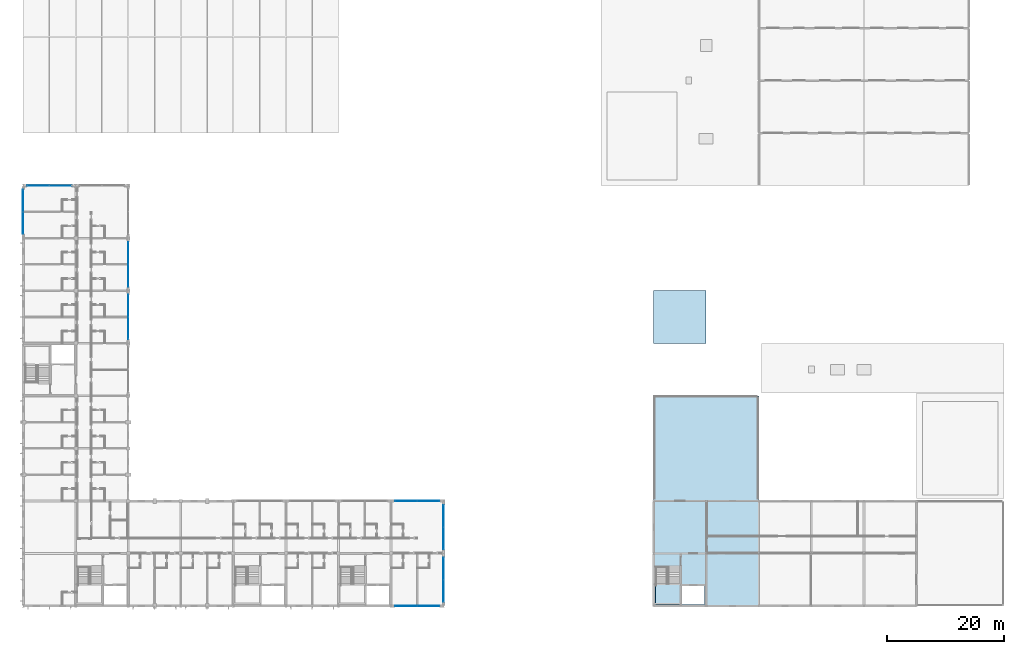
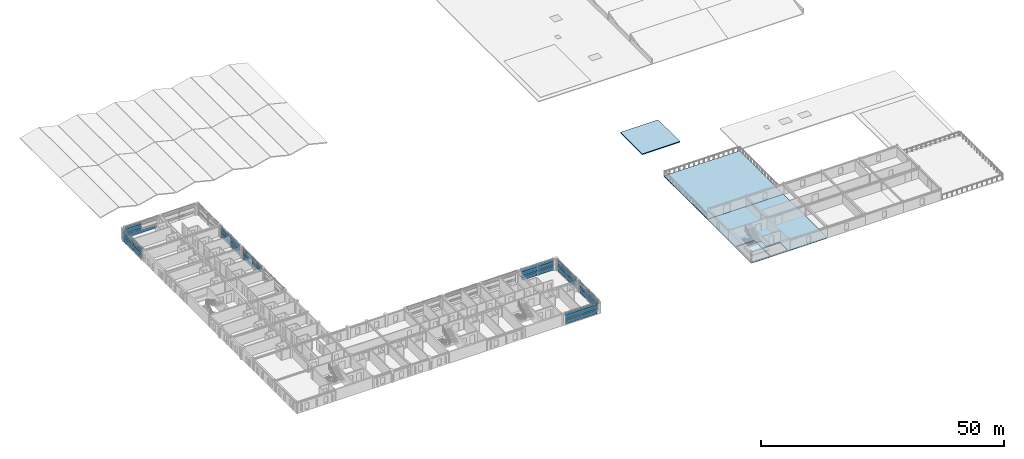
# One storey, part 15 of 37: 59 plates, 4 slabs, 8 elements without a shape of their own.
"""IFC4 building model written with IfcOpenShell, lengths in metres."""

from ifc_helpers import new_model, si_unit, direction, frame, origin, origin_2d, place, context, subcontext, project, spatial, polyline, rectangle, outline, extrude, material, layer, layer_set, type_object, element, aggregate, save


model = new_model("IFC4")

# Units and contexts
model_context = context("Model", 3, precision=1e-05, world=origin(), true_north=direction((0.0, 1.0)))
body_context = subcontext(model_context, "Body", "Model", "MODEL_VIEW")
ifc_project = project(units=[si_unit("LENGTHUNIT", "METRE"), si_unit("AREAUNIT", "SQUARE_METRE"), si_unit("VOLUMEUNIT", "CUBIC_METRE"), si_unit("PLANEANGLEUNIT", "RADIAN"), si_unit("MASSUNIT", "GRAM", prefix="KILO")], contexts=[model_context])

# Site, building, storey
site_placement = place(None, origin())
site = spatial("IfcSite", under=ifc_project, at=site_placement, CompositionType="ELEMENT")
building_placement = place(site_placement, origin())
building = spatial("IfcBuilding", under=site, at=building_placement, Name="Palais des Congres Ocreval", CompositionType="ELEMENT")
storey_placement = place(building_placement, frame((0.0, 0.0, 11.52001953125)))
storey = spatial("IfcBuildingStorey", under=building, at=storey_placement, Name="L03", CompositionType="ELEMENT", Elevation=11.52001953125)

# Curtain wall, plates
ifc_material_1 = material(Name="Anodized bronze aluminium and low-E glass", Category="glass")
curtain_wall_type = type_object("IfcCurtainWallType", Name="Unitised Curtain Wall 7900x2820", PredefinedType="USERDEFINED", material=ifc_material_1)
curtain_wall_1_placement = place(storey_placement, origin())
curtain_wall_1 = element("IfcCurtainWall", 1, at=curtain_wall_1_placement, inside=storey, type_object=curtain_wall_type, Name="Unitised Curtain Wall CW04 L03", ObjectType="UNITISED CURTAIN WALL", PredefinedType="USERDEFINED")
ifc_material_2 = material(Name="Acoustic triple glazing", Category="glass")
ifc_layer_1 = layer(ifc_material_2, 0.0439453125)
ifc_layer_set_1 = layer_set([ifc_layer_1], Name="Acoustic Laminated Glazing Panel 44 (Acoustic triple glazing)")
plate_type_1 = type_object("IfcPlateType", Name="Acoustic Laminated Glazing Panel 44", PredefinedType="CURTAIN_PANEL", material=ifc_layer_set_1)
plate_1_placement = place(storey_placement, frame((72.0, 15.40869140625, 0.06005859375), z_axis=(0.0, 0.0, 1.0), x_axis=(0.0, -1.0, 0.0)))
plate_1 = element("IfcPlate", 2, at=plate_1_placement, type_object=plate_type_1, Name="Vision Glazing Panel VP02", PredefinedType="CURTAIN_PANEL", context=body_context, shape_type="SweptSolid", body=[
    extrude(rectangle(XDim=3.75244140625, YDim=0.0439453125, at=origin_2d()), origin(), (0.0, 0.0, 1.0), 0.68994140625),
])
plate_2_placement = place(storey_placement, frame((72.0, 15.40869140625, 0.81005859375), z_axis=(0.0, 0.0, 1.0), x_axis=(0.0, -1.0, 0.0)))
plate_2 = element("IfcPlate", 3, at=plate_2_placement, type_object=plate_type_1, Name="Vision Glazing Panel VP02", PredefinedType="CURTAIN_PANEL", context=body_context, shape_type="SweptSolid", body=[
    extrude(rectangle(XDim=3.75244140625, YDim=0.0439453125, at=origin_2d()), origin(), (0.0, 0.0, 1.0), 0.353515625),
])
plate_3_placement = place(storey_placement, frame((72.0, 15.40869140625, 1.2236328125), z_axis=(0.0, 0.0, 1.0), x_axis=(0.0, -1.0, 0.0)))
plate_3 = element("IfcPlate", 4, at=plate_3_placement, type_object=plate_type_1, Name="Vision Glazing Panel VP02", PredefinedType="CURTAIN_PANEL", context=body_context, shape_type="SweptSolid", body=[
    extrude(rectangle(XDim=3.75244140625, YDim=0.0439453125, at=origin_2d()), origin(), (0.0, 0.0, 1.0), 0.91650390625),
])
plate_4_placement = place(storey_placement, frame((72.0, 11.59130859375, 0.06005859375), z_axis=(0.0, 0.0, 1.0), x_axis=(0.0, -1.0, 0.0)))
plate_4 = element("IfcPlate", 5, at=plate_4_placement, type_object=plate_type_1, Name="Vision Glazing Panel VP02", PredefinedType="CURTAIN_PANEL", context=body_context, shape_type="SweptSolid", body=[
    extrude(rectangle(XDim=3.75244140625, YDim=0.0439453125, at=origin_2d()), origin(), (0.0, 0.0, 1.0), 0.68994140625),
])
plate_5_placement = place(storey_placement, frame((72.0, 11.59130859375, 0.81005859375), z_axis=(0.0, 0.0, 1.0), x_axis=(0.0, -1.0, 0.0)))
plate_5 = element("IfcPlate", 6, at=plate_5_placement, type_object=plate_type_1, Name="Vision Glazing Panel VP02", PredefinedType="CURTAIN_PANEL", context=body_context, shape_type="SweptSolid", body=[
    extrude(rectangle(XDim=3.75244140625, YDim=0.0439453125, at=origin_2d()), origin(), (0.0, 0.0, 1.0), 0.353515625),
])
plate_6_placement = place(storey_placement, frame((72.0, 11.59130859375, 1.2236328125), z_axis=(0.0, 0.0, 1.0), x_axis=(0.0, -1.0, 0.0)))
plate_6 = element("IfcPlate", 7, at=plate_6_placement, type_object=plate_type_1, Name="Vision Glazing Panel VP02", PredefinedType="CURTAIN_PANEL", context=body_context, shape_type="SweptSolid", body=[
    extrude(rectangle(XDim=3.75244140625, YDim=0.0439453125, at=origin_2d()), origin(), (0.0, 0.0, 1.0), 0.91650390625),
])

curtain_wall_2_placement = place(storey_placement, origin())
curtain_wall_2 = element("IfcCurtainWall", 8, at=curtain_wall_2_placement, inside=storey, type_object=curtain_wall_type, Name="Unitised Curtain Wall CW04 L03", ObjectType="UNITISED CURTAIN WALL", PredefinedType="USERDEFINED")
plate_7_placement = place(storey_placement, frame((0.0, 65.592529296875, 0.06005859375), z_axis=(0.0, 0.0, 1.0), x_axis=(0.0, 1.0, 0.0)))
plate_7 = element("IfcPlate", 9, at=plate_7_placement, type_object=plate_type_1, Name="Vision Glazing Panel VP02", PredefinedType="CURTAIN_PANEL", context=body_context, shape_type="SweptSolid", body=[
    extrude(rectangle(XDim=3.7451171875, YDim=0.0439453125, at=origin_2d()), origin(), (0.0, 0.0, 1.0), 0.68994140625),
])
plate_8_placement = place(storey_placement, frame((0.0, 65.592529296875, 0.81005859375), z_axis=(0.0, 0.0, 1.0), x_axis=(0.0, 1.0, 0.0)))
plate_8 = element("IfcPlate", 10, at=plate_8_placement, type_object=plate_type_1, Name="Vision Glazing Panel VP02", PredefinedType="CURTAIN_PANEL", context=body_context, shape_type="SweptSolid", body=[
    extrude(rectangle(XDim=3.7451171875, YDim=0.0439453125, at=origin_2d()), origin(), (0.0, 0.0, 1.0), 0.353515625),
])
plate_9_placement = place(storey_placement, frame((0.0, 65.592529296875, 1.2236328125), z_axis=(0.0, 0.0, 1.0), x_axis=(0.0, 1.0, 0.0)))
plate_9 = element("IfcPlate", 11, at=plate_9_placement, type_object=plate_type_1, Name="Vision Glazing Panel VP02", PredefinedType="CURTAIN_PANEL", context=body_context, shape_type="SweptSolid", body=[
    extrude(rectangle(XDim=3.7451171875, YDim=0.0439453125, at=origin_2d()), origin(), (0.0, 0.0, 1.0), 0.91650390625),
])
plate_10_placement = place(storey_placement, frame((0.0, 69.407470703125, 0.06005859375), z_axis=(0.0, 0.0, 1.0), x_axis=(0.0, 1.0, 0.0)))
plate_10 = element("IfcPlate", 12, at=plate_10_placement, type_object=plate_type_1, Name="Vision Glazing Panel VP02", PredefinedType="CURTAIN_PANEL", context=body_context, shape_type="SweptSolid", body=[
    extrude(rectangle(XDim=3.7451171875, YDim=0.0439453125, at=origin_2d()), origin(), (0.0, 0.0, 1.0), 0.68994140625),
])
plate_11_placement = place(storey_placement, frame((0.0, 69.407470703125, 0.81005859375), z_axis=(0.0, 0.0, 1.0), x_axis=(0.0, 1.0, 0.0)))
plate_11 = element("IfcPlate", 13, at=plate_11_placement, type_object=plate_type_1, Name="Vision Glazing Panel VP02", PredefinedType="CURTAIN_PANEL", context=body_context, shape_type="SweptSolid", body=[
    extrude(rectangle(XDim=3.7451171875, YDim=0.0439453125, at=origin_2d()), origin(), (0.0, 0.0, 1.0), 0.353515625),
])
plate_12_placement = place(storey_placement, frame((0.0, 69.407470703125, 1.2236328125), z_axis=(0.0, 0.0, 1.0), x_axis=(0.0, 1.0, 0.0)))
plate_12 = element("IfcPlate", 14, at=plate_12_placement, type_object=plate_type_1, Name="Vision Glazing Panel VP02", PredefinedType="CURTAIN_PANEL", context=body_context, shape_type="SweptSolid", body=[
    extrude(rectangle(XDim=3.7451171875, YDim=0.0439453125, at=origin_2d()), origin(), (0.0, 0.0, 1.0), 0.91650390625),
])

curtain_wall_3_placement = place(storey_placement, origin())
curtain_wall_3 = element("IfcCurtainWall", 15, at=curtain_wall_3_placement, inside=storey, type_object=curtain_wall_type, Name="Unitised Curtain Wall CW04 L03", ObjectType="UNITISED CURTAIN WALL", PredefinedType="USERDEFINED")
ifc_material_3 = material(Name="Anodized bronze aluminium", Category="aluminium")
ifc_layer_2 = layer(ifc_material_3, 0.06005859375)
ifc_layer_set_2 = layer_set([ifc_layer_2], Name="Anodized Bronze Spandrel Cassette 60 (Anodized bronze aluminium)")
plate_type_2 = type_object("IfcPlateType", Name="Anodized Bronze Spandrel Cassette 60", PredefinedType="SHEET", material=ifc_layer_set_2)
plate_13_placement = place(storey_placement, frame((72.0, 6.407470703125, 2.199951171875), z_axis=(0.0, 0.0, 1.0), x_axis=(0.0, -1.0, 0.0)))
plate_13 = element("IfcPlate", 16, at=plate_13_placement, type_object=plate_type_2, Name="Spandrel Sheet SPN1", PredefinedType="SHEET", context=body_context, shape_type="SweptSolid", body=[
    extrude(rectangle(XDim=3.7451171875, YDim=0.06005859375, at=origin_2d()), origin(), (0.0, 0.0, 1.0), 0.56005859375),
])
plate_14_placement = place(storey_placement, frame((72.0, 2.592529296875, 2.199951171875), z_axis=(0.0, 0.0, 1.0), x_axis=(0.0, -1.0, 0.0)))
plate_14 = element("IfcPlate", 17, at=plate_14_placement, type_object=plate_type_2, Name="Spandrel Sheet SPN1", PredefinedType="SHEET", context=body_context, shape_type="SweptSolid", body=[
    extrude(rectangle(XDim=3.7451171875, YDim=0.06005859375, at=origin_2d()), origin(), (0.0, 0.0, 1.0), 0.56005859375),
])

# Plate
plate_15_placement = place(storey_placement, frame((0.0, 65.592529296875, 2.199951171875), z_axis=(0.0, 0.0, 1.0), x_axis=(0.0, 1.0, 0.0)))
plate_15 = element("IfcPlate", 18, at=plate_15_placement, type_object=plate_type_2, Name="Spandrel Sheet SPN1", PredefinedType="SHEET", context=body_context, shape_type="SweptSolid", body=[
    extrude(rectangle(XDim=3.7451171875, YDim=0.06005859375, at=origin_2d()), origin(), (0.0, 0.0, 1.0), 0.56005859375),
])

plate_16_placement = place(storey_placement, frame((0.0, 69.407470703125, 2.199951171875), z_axis=(0.0, 0.0, 1.0), x_axis=(0.0, 1.0, 0.0)))
plate_16 = element("IfcPlate", 19, at=plate_16_placement, type_object=plate_type_2, Name="Spandrel Sheet SPN1", PredefinedType="SHEET", context=body_context, shape_type="SweptSolid", body=[
    extrude(rectangle(XDim=3.7451171875, YDim=0.06005859375, at=origin_2d()), origin(), (0.0, 0.0, 1.0), 0.56005859375),
])

aggregate(curtain_wall_2, [plate_7, plate_8, plate_9, plate_15, plate_10, plate_11, plate_12, plate_16])

# Curtain wall, plates
curtain_wall_4_placement = place(storey_placement, origin())
curtain_wall_4 = element("IfcCurtainWall", 20, at=curtain_wall_4_placement, inside=storey, type_object=curtain_wall_type, Name="Unitised Curtain Wall CW04 L03", ObjectType="UNITISED CURTAIN WALL", PredefinedType="USERDEFINED")
plate_17_placement = place(storey_placement, frame((18.0, 60.407470703125, 2.199951171875), z_axis=(0.0, 0.0, 1.0), x_axis=(0.0, -1.0, 0.0)))
plate_17 = element("IfcPlate", 21, at=plate_17_placement, type_object=plate_type_2, Name="Spandrel Sheet SPN1", PredefinedType="SHEET", context=body_context, shape_type="SweptSolid", body=[
    extrude(rectangle(XDim=3.7451171875, YDim=0.06005859375, at=origin_2d()), origin(), (0.0, 0.0, 1.0), 0.56005859375),
])
plate_18_placement = place(storey_placement, frame((18.0, 56.592529296875, 2.199951171875), z_axis=(0.0, 0.0, 1.0), x_axis=(0.0, -1.0, 0.0)))
plate_18 = element("IfcPlate", 22, at=plate_18_placement, type_object=plate_type_2, Name="Spandrel Sheet SPN1", PredefinedType="SHEET", context=body_context, shape_type="SweptSolid", body=[
    extrude(rectangle(XDim=3.7451171875, YDim=0.06005859375, at=origin_2d()), origin(), (0.0, 0.0, 1.0), 0.56005859375),
])

curtain_wall_5_placement = place(storey_placement, origin())
curtain_wall_5 = element("IfcCurtainWall", 23, at=curtain_wall_5_placement, inside=storey, type_object=curtain_wall_type, Name="Unitised Curtain Wall CW04 L03", ObjectType="UNITISED CURTAIN WALL", PredefinedType="USERDEFINED")
plate_19_placement = place(storey_placement, frame((65.592529296875, 18.0, 2.199951171875), z_axis=(0.0, 0.0, 1.0), x_axis=(1.0, 0.0, 0.0)))
plate_19 = element("IfcPlate", 24, at=plate_19_placement, type_object=plate_type_2, Name="Spandrel Sheet SPN1", PredefinedType="SHEET", context=body_context, shape_type="SweptSolid", body=[
    extrude(rectangle(XDim=3.7451171875, YDim=0.06005859375, at=origin_2d()), origin(), (0.0, 0.0, 1.0), 0.56005859375),
])
plate_20_placement = place(storey_placement, frame((69.407470703125, 18.0, 2.199951171875), z_axis=(0.0, 0.0, 1.0), x_axis=(1.0, 0.0, 0.0)))
plate_20 = element("IfcPlate", 25, at=plate_20_placement, type_object=plate_type_2, Name="Spandrel Sheet SPN1", PredefinedType="SHEET", context=body_context, shape_type="SweptSolid", body=[
    extrude(rectangle(XDim=3.7451171875, YDim=0.06005859375, at=origin_2d()), origin(), (0.0, 0.0, 1.0), 0.56005859375),
])

# Slab
ifc_material_4 = material(Name="Concrete C40/50", Category="concrete")
ifc_layer_3 = layer(ifc_material_4, 0.25)
ifc_layer_set_3 = layer_set([ifc_layer_3], Name="Folded and Crown Roof Deck 250 Concrete C40/50")
slab_type_1 = type_object("IfcSlabType", Name="Folded and Crown Roof Deck 250 Concrete C40/50", PredefinedType="ROOF", material=ifc_layer_set_3)
slab_1_placement = place(storey_placement, frame((0.0, 0.0, -0.25)))
element("IfcSlab", 26, at=slab_1_placement, inside=storey, type_object=slab_type_1, Name="Spa Headhouse Roof Deck", PredefinedType="ROOF", context=body_context, shape_type="SweptSolid", body=[
    extrude(outline(polyline([(108.0, 45.0), (108.0, 54.0), (117.0, 54.0), (117.0, 45.0), (108.0, 45.0)])), origin(), (0.0, 0.0, 1.0), 0.25),
])

# Plate
ifc_material_5 = material(Name="Low-E solar-control double glazing", Category="glass")
ifc_layer_4 = layer(ifc_material_5, 0.031982421875)
ifc_layer_set_4 = layer_set([ifc_layer_4], Name="Galleria Clear Vision Panel 32 (Low-E solar-control double glazing)")
plate_type_3 = type_object("IfcPlateType", Name="Galleria Clear Vision Panel 32", PredefinedType="CURTAIN_PANEL", material=ifc_layer_set_4)
plate_21_placement = place(storey_placement, frame((72.0, 6.407470703125, 0.06005859375), z_axis=(0.0, 0.0, 1.0), x_axis=(0.0, -1.0, 0.0)))
plate_21 = element("IfcPlate", 27, at=plate_21_placement, type_object=plate_type_3, Name="Vision Glazing Panel VP03", PredefinedType="CURTAIN_PANEL", context=body_context, shape_type="SweptSolid", body=[
    extrude(rectangle(XDim=3.7451171875, YDim=0.031982421875, at=origin_2d()), origin(), (0.0, 0.0, 1.0), 0.68994140625),
])

plate_22_placement = place(storey_placement, frame((72.0, 6.407470703125, 0.81005859375), z_axis=(0.0, 0.0, 1.0), x_axis=(0.0, -1.0, 0.0)))
plate_22 = element("IfcPlate", 28, at=plate_22_placement, type_object=plate_type_3, Name="Vision Glazing Panel VP03", PredefinedType="CURTAIN_PANEL", context=body_context, shape_type="SweptSolid", body=[
    extrude(rectangle(XDim=3.7451171875, YDim=0.031982421875, at=origin_2d()), origin(), (0.0, 0.0, 1.0), 0.353515625),
])

plate_23_placement = place(storey_placement, frame((72.0, 6.407470703125, 1.2236328125), z_axis=(0.0, 0.0, 1.0), x_axis=(0.0, -1.0, 0.0)))
plate_23 = element("IfcPlate", 29, at=plate_23_placement, type_object=plate_type_3, Name="Vision Glazing Panel VP03", PredefinedType="CURTAIN_PANEL", context=body_context, shape_type="SweptSolid", body=[
    extrude(rectangle(XDim=3.7451171875, YDim=0.031982421875, at=origin_2d()), origin(), (0.0, 0.0, 1.0), 0.91650390625),
])

plate_24_placement = place(storey_placement, frame((72.0, 2.592529296875, 0.06005859375), z_axis=(0.0, 0.0, 1.0), x_axis=(0.0, -1.0, 0.0)))
plate_24 = element("IfcPlate", 30, at=plate_24_placement, type_object=plate_type_3, Name="Vision Glazing Panel VP03", PredefinedType="CURTAIN_PANEL", context=body_context, shape_type="SweptSolid", body=[
    extrude(rectangle(XDim=3.7451171875, YDim=0.031982421875, at=origin_2d()), origin(), (0.0, 0.0, 1.0), 0.68994140625),
])

plate_25_placement = place(storey_placement, frame((72.0, 2.592529296875, 0.81005859375), z_axis=(0.0, 0.0, 1.0), x_axis=(0.0, -1.0, 0.0)))
plate_25 = element("IfcPlate", 31, at=plate_25_placement, type_object=plate_type_3, Name="Vision Glazing Panel VP03", PredefinedType="CURTAIN_PANEL", context=body_context, shape_type="SweptSolid", body=[
    extrude(rectangle(XDim=3.7451171875, YDim=0.031982421875, at=origin_2d()), origin(), (0.0, 0.0, 1.0), 0.353515625),
])

plate_26_placement = place(storey_placement, frame((72.0, 2.592529296875, 1.2236328125), z_axis=(0.0, 0.0, 1.0), x_axis=(0.0, -1.0, 0.0)))
plate_26 = element("IfcPlate", 32, at=plate_26_placement, type_object=plate_type_3, Name="Vision Glazing Panel VP03", PredefinedType="CURTAIN_PANEL", context=body_context, shape_type="SweptSolid", body=[
    extrude(rectangle(XDim=3.7451171875, YDim=0.031982421875, at=origin_2d()), origin(), (0.0, 0.0, 1.0), 0.91650390625),
])

aggregate(curtain_wall_3, [plate_21, plate_22, plate_23, plate_13, plate_24, plate_25, plate_26, plate_14])

# Curtain wall, plates
curtain_wall_6_placement = place(storey_placement, origin())
curtain_wall_6 = element("IfcCurtainWall", 33, at=curtain_wall_6_placement, inside=storey, type_object=curtain_wall_type, Name="Unitised Curtain Wall CW04 L03", ObjectType="UNITISED CURTAIN WALL", PredefinedType="USERDEFINED")
plate_27_placement = place(storey_placement, frame((2.59130859375, 72.0, 0.06005859375), z_axis=(0.0, 0.0, 1.0), x_axis=(1.0, 0.0, 0.0)))
plate_27 = element("IfcPlate", 34, at=plate_27_placement, type_object=plate_type_3, Name="Vision Glazing Panel VP03", PredefinedType="CURTAIN_PANEL", context=body_context, shape_type="SweptSolid", body=[
    extrude(rectangle(XDim=3.75244140625, YDim=0.031982421875, at=origin_2d()), origin(), (0.0, 0.0, 1.0), 0.68994140625),
])
plate_28_placement = place(storey_placement, frame((2.59130859375, 72.0, 0.81005859375), z_axis=(0.0, 0.0, 1.0), x_axis=(1.0, 0.0, 0.0)))
plate_28 = element("IfcPlate", 35, at=plate_28_placement, type_object=plate_type_3, Name="Vision Glazing Panel VP03", PredefinedType="CURTAIN_PANEL", context=body_context, shape_type="SweptSolid", body=[
    extrude(rectangle(XDim=3.75244140625, YDim=0.031982421875, at=origin_2d()), origin(), (0.0, 0.0, 1.0), 0.353515625),
])
plate_29_placement = place(storey_placement, frame((2.59130859375, 72.0, 1.2236328125), z_axis=(0.0, 0.0, 1.0), x_axis=(1.0, 0.0, 0.0)))
plate_29 = element("IfcPlate", 36, at=plate_29_placement, type_object=plate_type_3, Name="Vision Glazing Panel VP03", PredefinedType="CURTAIN_PANEL", context=body_context, shape_type="SweptSolid", body=[
    extrude(rectangle(XDim=3.75244140625, YDim=0.031982421875, at=origin_2d()), origin(), (0.0, 0.0, 1.0), 0.91650390625),
])
plate_30_placement = place(storey_placement, frame((6.40869140625, 72.0, 0.06005859375), z_axis=(0.0, 0.0, 1.0), x_axis=(1.0, 0.0, 0.0)))
plate_30 = element("IfcPlate", 37, at=plate_30_placement, type_object=plate_type_3, Name="Vision Glazing Panel VP03", PredefinedType="CURTAIN_PANEL", context=body_context, shape_type="SweptSolid", body=[
    extrude(rectangle(XDim=3.75244140625, YDim=0.031982421875, at=origin_2d()), origin(), (0.0, 0.0, 1.0), 0.68994140625),
])

# Plate
plate_31_placement = place(storey_placement, frame((18.0, 60.407470703125, 0.06005859375), z_axis=(0.0, 0.0, 1.0), x_axis=(0.0, -1.0, 0.0)))
plate_31 = element("IfcPlate", 38, at=plate_31_placement, type_object=plate_type_3, Name="Vision Glazing Panel VP03", PredefinedType="CURTAIN_PANEL", context=body_context, shape_type="SweptSolid", body=[
    extrude(rectangle(XDim=3.7451171875, YDim=0.031982421875, at=origin_2d()), origin(), (0.0, 0.0, 1.0), 0.68994140625),
])

plate_32_placement = place(storey_placement, frame((18.0, 60.407470703125, 0.81005859375), z_axis=(0.0, 0.0, 1.0), x_axis=(0.0, -1.0, 0.0)))
plate_32 = element("IfcPlate", 39, at=plate_32_placement, type_object=plate_type_3, Name="Vision Glazing Panel VP03", PredefinedType="CURTAIN_PANEL", context=body_context, shape_type="SweptSolid", body=[
    extrude(rectangle(XDim=3.7451171875, YDim=0.031982421875, at=origin_2d()), origin(), (0.0, 0.0, 1.0), 0.353515625),
])

plate_33_placement = place(storey_placement, frame((18.0, 60.407470703125, 1.2236328125), z_axis=(0.0, 0.0, 1.0), x_axis=(0.0, -1.0, 0.0)))
plate_33 = element("IfcPlate", 40, at=plate_33_placement, type_object=plate_type_3, Name="Vision Glazing Panel VP03", PredefinedType="CURTAIN_PANEL", context=body_context, shape_type="SweptSolid", body=[
    extrude(rectangle(XDim=3.7451171875, YDim=0.031982421875, at=origin_2d()), origin(), (0.0, 0.0, 1.0), 0.91650390625),
])

plate_34_placement = place(storey_placement, frame((18.0, 56.592529296875, 0.06005859375), z_axis=(0.0, 0.0, 1.0), x_axis=(0.0, -1.0, 0.0)))
plate_34 = element("IfcPlate", 41, at=plate_34_placement, type_object=plate_type_3, Name="Vision Glazing Panel VP03", PredefinedType="CURTAIN_PANEL", context=body_context, shape_type="SweptSolid", body=[
    extrude(rectangle(XDim=3.7451171875, YDim=0.031982421875, at=origin_2d()), origin(), (0.0, 0.0, 1.0), 0.68994140625),
])

plate_35_placement = place(storey_placement, frame((18.0, 56.592529296875, 0.81005859375), z_axis=(0.0, 0.0, 1.0), x_axis=(0.0, -1.0, 0.0)))
plate_35 = element("IfcPlate", 42, at=plate_35_placement, type_object=plate_type_3, Name="Vision Glazing Panel VP03", PredefinedType="CURTAIN_PANEL", context=body_context, shape_type="SweptSolid", body=[
    extrude(rectangle(XDim=3.7451171875, YDim=0.031982421875, at=origin_2d()), origin(), (0.0, 0.0, 1.0), 0.353515625),
])

plate_36_placement = place(storey_placement, frame((18.0, 56.592529296875, 1.2236328125), z_axis=(0.0, 0.0, 1.0), x_axis=(0.0, -1.0, 0.0)))
plate_36 = element("IfcPlate", 43, at=plate_36_placement, type_object=plate_type_3, Name="Vision Glazing Panel VP03", PredefinedType="CURTAIN_PANEL", context=body_context, shape_type="SweptSolid", body=[
    extrude(rectangle(XDim=3.7451171875, YDim=0.031982421875, at=origin_2d()), origin(), (0.0, 0.0, 1.0), 0.91650390625),
])

aggregate(curtain_wall_4, [plate_31, plate_32, plate_33, plate_17, plate_34, plate_35, plate_36, plate_18])

plate_37_placement = place(storey_placement, frame((65.592529296875, 18.0, 0.06005859375), z_axis=(0.0, 0.0, 1.0), x_axis=(1.0, 0.0, 0.0)))
plate_37 = element("IfcPlate", 44, at=plate_37_placement, type_object=plate_type_3, Name="Vision Glazing Panel VP03", PredefinedType="CURTAIN_PANEL", context=body_context, shape_type="SweptSolid", body=[
    extrude(rectangle(XDim=3.7451171875, YDim=0.031982421875, at=origin_2d()), origin(), (0.0, 0.0, 1.0), 0.68994140625),
])

plate_38_placement = place(storey_placement, frame((65.592529296875, 18.0, 0.81005859375), z_axis=(0.0, 0.0, 1.0), x_axis=(1.0, 0.0, 0.0)))
plate_38 = element("IfcPlate", 45, at=plate_38_placement, type_object=plate_type_3, Name="Vision Glazing Panel VP03", PredefinedType="CURTAIN_PANEL", context=body_context, shape_type="SweptSolid", body=[
    extrude(rectangle(XDim=3.7451171875, YDim=0.031982421875, at=origin_2d()), origin(), (0.0, 0.0, 1.0), 0.353515625),
])

plate_39_placement = place(storey_placement, frame((65.592529296875, 18.0, 1.2236328125), z_axis=(0.0, 0.0, 1.0), x_axis=(1.0, 0.0, 0.0)))
plate_39 = element("IfcPlate", 46, at=plate_39_placement, type_object=plate_type_3, Name="Vision Glazing Panel VP03", PredefinedType="CURTAIN_PANEL", context=body_context, shape_type="SweptSolid", body=[
    extrude(rectangle(XDim=3.7451171875, YDim=0.031982421875, at=origin_2d()), origin(), (0.0, 0.0, 1.0), 0.91650390625),
])

plate_40_placement = place(storey_placement, frame((69.407470703125, 18.0, 0.06005859375), z_axis=(0.0, 0.0, 1.0), x_axis=(1.0, 0.0, 0.0)))
plate_40 = element("IfcPlate", 47, at=plate_40_placement, type_object=plate_type_3, Name="Vision Glazing Panel VP03", PredefinedType="CURTAIN_PANEL", context=body_context, shape_type="SweptSolid", body=[
    extrude(rectangle(XDim=3.7451171875, YDim=0.031982421875, at=origin_2d()), origin(), (0.0, 0.0, 1.0), 0.68994140625),
])

plate_41_placement = place(storey_placement, frame((69.407470703125, 18.0, 0.81005859375), z_axis=(0.0, 0.0, 1.0), x_axis=(1.0, 0.0, 0.0)))
plate_41 = element("IfcPlate", 48, at=plate_41_placement, type_object=plate_type_3, Name="Vision Glazing Panel VP03", PredefinedType="CURTAIN_PANEL", context=body_context, shape_type="SweptSolid", body=[
    extrude(rectangle(XDim=3.7451171875, YDim=0.031982421875, at=origin_2d()), origin(), (0.0, 0.0, 1.0), 0.353515625),
])

plate_42_placement = place(storey_placement, frame((69.407470703125, 18.0, 1.2236328125), z_axis=(0.0, 0.0, 1.0), x_axis=(1.0, 0.0, 0.0)))
plate_42 = element("IfcPlate", 49, at=plate_42_placement, type_object=plate_type_3, Name="Vision Glazing Panel VP03", PredefinedType="CURTAIN_PANEL", context=body_context, shape_type="SweptSolid", body=[
    extrude(rectangle(XDim=3.7451171875, YDim=0.031982421875, at=origin_2d()), origin(), (0.0, 0.0, 1.0), 0.91650390625),
])

aggregate(curtain_wall_5, [plate_37, plate_38, plate_39, plate_19, plate_40, plate_41, plate_42, plate_20])

# Curtain wall, plates
curtain_wall_7_placement = place(storey_placement, origin())
curtain_wall_7 = element("IfcCurtainWall", 50, at=curtain_wall_7_placement, inside=storey, type_object=curtain_wall_type, Name="Unitised Curtain Wall CW04 L03", ObjectType="UNITISED CURTAIN WALL", PredefinedType="USERDEFINED")
ifc_layer_5 = layer(ifc_material_5, 0.035888671875)
ifc_layer_set_5 = layer_set([ifc_layer_5], Name="Low-E Vision Glazing Panel 36 (Low-E solar-control double glazing)")
plate_type_4 = type_object("IfcPlateType", Name="Low-E Vision Glazing Panel 36", PredefinedType="CURTAIN_PANEL", material=ifc_layer_set_5)
plate_43_placement = place(storey_placement, frame((69.40869140625, 0.0, 0.06005859375), z_axis=(0.0, 0.0, 1.0), x_axis=(-1.0, 0.0, 0.0)))
plate_43 = element("IfcPlate", 51, at=plate_43_placement, type_object=plate_type_4, Name="Vision Glazing Panel VP01", PredefinedType="CURTAIN_PANEL", context=body_context, shape_type="SweptSolid", body=[
    extrude(rectangle(XDim=3.75244140625, YDim=0.035888671875, at=origin_2d()), origin(), (0.0, 0.0, 1.0), 0.68994140625),
])
plate_44_placement = place(storey_placement, frame((69.40869140625, 0.0, 0.81005859375), z_axis=(0.0, 0.0, 1.0), x_axis=(-1.0, 0.0, 0.0)))
plate_44 = element("IfcPlate", 52, at=plate_44_placement, type_object=plate_type_4, Name="Vision Glazing Panel VP01", PredefinedType="CURTAIN_PANEL", context=body_context, shape_type="SweptSolid", body=[
    extrude(rectangle(XDim=3.75244140625, YDim=0.035888671875, at=origin_2d()), origin(), (0.0, 0.0, 1.0), 0.353515625),
])
plate_45_placement = place(storey_placement, frame((69.40869140625, 0.0, 1.2236328125), z_axis=(0.0, 0.0, 1.0), x_axis=(-1.0, 0.0, 0.0)))
plate_45 = element("IfcPlate", 53, at=plate_45_placement, type_object=plate_type_4, Name="Vision Glazing Panel VP01", PredefinedType="CURTAIN_PANEL", context=body_context, shape_type="SweptSolid", body=[
    extrude(rectangle(XDim=3.75244140625, YDim=0.035888671875, at=origin_2d()), origin(), (0.0, 0.0, 1.0), 0.91650390625),
])
plate_46_placement = place(storey_placement, frame((65.59130859375, 0.0, 0.06005859375), z_axis=(0.0, 0.0, 1.0), x_axis=(-1.0, 0.0, 0.0)))
plate_46 = element("IfcPlate", 54, at=plate_46_placement, type_object=plate_type_4, Name="Vision Glazing Panel VP01", PredefinedType="CURTAIN_PANEL", context=body_context, shape_type="SweptSolid", body=[
    extrude(rectangle(XDim=3.75244140625, YDim=0.035888671875, at=origin_2d()), origin(), (0.0, 0.0, 1.0), 0.68994140625),
])
plate_47_placement = place(storey_placement, frame((65.59130859375, 0.0, 0.81005859375), z_axis=(0.0, 0.0, 1.0), x_axis=(-1.0, 0.0, 0.0)))
plate_47 = element("IfcPlate", 55, at=plate_47_placement, type_object=plate_type_4, Name="Vision Glazing Panel VP01", PredefinedType="CURTAIN_PANEL", context=body_context, shape_type="SweptSolid", body=[
    extrude(rectangle(XDim=3.75244140625, YDim=0.035888671875, at=origin_2d()), origin(), (0.0, 0.0, 1.0), 0.353515625),
])
plate_48_placement = place(storey_placement, frame((65.59130859375, 0.0, 1.2236328125), z_axis=(0.0, 0.0, 1.0), x_axis=(-1.0, 0.0, 0.0)))
plate_48 = element("IfcPlate", 56, at=plate_48_placement, type_object=plate_type_4, Name="Vision Glazing Panel VP01", PredefinedType="CURTAIN_PANEL", context=body_context, shape_type="SweptSolid", body=[
    extrude(rectangle(XDim=3.75244140625, YDim=0.035888671875, at=origin_2d()), origin(), (0.0, 0.0, 1.0), 0.91650390625),
])

curtain_wall_8_placement = place(storey_placement, origin())
curtain_wall_8 = element("IfcCurtainWall", 57, at=curtain_wall_8_placement, inside=storey, type_object=curtain_wall_type, Name="Unitised Curtain Wall CW04 L03", ObjectType="UNITISED CURTAIN WALL", PredefinedType="USERDEFINED")
plate_49_placement = place(storey_placement, frame((18.0, 51.40869140625, 0.06005859375), z_axis=(0.0, 0.0, 1.0), x_axis=(0.0, -1.0, 0.0)))
plate_49 = element("IfcPlate", 58, at=plate_49_placement, type_object=plate_type_4, Name="Vision Glazing Panel VP01", PredefinedType="CURTAIN_PANEL", context=body_context, shape_type="SweptSolid", body=[
    extrude(rectangle(XDim=3.75244140625, YDim=0.035888671875, at=origin_2d()), origin(), (0.0, 0.0, 1.0), 0.68994140625),
])
plate_50_placement = place(storey_placement, frame((18.0, 51.40869140625, 0.81005859375), z_axis=(0.0, 0.0, 1.0), x_axis=(0.0, -1.0, 0.0)))
plate_50 = element("IfcPlate", 59, at=plate_50_placement, type_object=plate_type_4, Name="Vision Glazing Panel VP01", PredefinedType="CURTAIN_PANEL", context=body_context, shape_type="SweptSolid", body=[
    extrude(rectangle(XDim=3.75244140625, YDim=0.035888671875, at=origin_2d()), origin(), (0.0, 0.0, 1.0), 0.353515625),
])
plate_51_placement = place(storey_placement, frame((18.0, 51.40869140625, 1.2236328125), z_axis=(0.0, 0.0, 1.0), x_axis=(0.0, -1.0, 0.0)))
plate_51 = element("IfcPlate", 60, at=plate_51_placement, type_object=plate_type_4, Name="Vision Glazing Panel VP01", PredefinedType="CURTAIN_PANEL", context=body_context, shape_type="SweptSolid", body=[
    extrude(rectangle(XDim=3.75244140625, YDim=0.035888671875, at=origin_2d()), origin(), (0.0, 0.0, 1.0), 0.91650390625),
])
plate_52_placement = place(storey_placement, frame((18.0, 47.59130859375, 1.2236328125), z_axis=(0.0, 0.0, 1.0), x_axis=(0.0, -1.0, 0.0)))
plate_52 = element("IfcPlate", 61, at=plate_52_placement, type_object=plate_type_4, Name="Vision Glazing Panel VP01", PredefinedType="CURTAIN_PANEL", context=body_context, shape_type="SweptSolid", body=[
    extrude(rectangle(XDim=3.75244140625, YDim=0.035888671875, at=origin_2d()), origin(), (0.0, 0.0, 1.0), 0.91650390625),
])

# Slabs
ifc_layer_6 = layer(ifc_material_4, 0.219970703125)
ifc_layer_set_6 = layer_set([ifc_layer_6], Name="Post-Tensioned Hotel Slab 220 Concrete C40/50")
slab_type_2 = type_object("IfcSlabType", Name="Post-Tensioned Hotel Slab 220 Concrete C40/50", PredefinedType="FLOOR", material=ifc_layer_set_6)
slab_2_placement = place(storey_placement, frame((0.0, 0.0, -0.219970703125)))
element("IfcSlab", 62, at=slab_2_placement, inside=storey, type_object=slab_type_2, Name="Floor Slab SL11 L03 V3-1", PredefinedType="FLOOR", context=body_context, shape_type="SweptSolid", body=[
    extrude(outline(polyline([(108.0, 18.0), (126.0, 18.0), (126.0, 0.0), (108.0, 0.0), (108.0, 18.0)]), holes=[polyline([(112.800048828125, 3.449951171875), (112.800048828125, 0.300048828125), (116.699951171875, 0.300048828125), (116.699951171875, 3.449951171875), (112.800048828125, 3.449951171875)]), polyline([(108.300048828125, 0.300048828125), (112.5, 0.300048828125), (112.5, 6.64990234375), (108.300048828125, 6.64990234375), (108.300048828125, 0.300048828125)])]), origin(), (0.0, 0.0, 1.0), 0.219970703125),
])
slab_3_placement = place(storey_placement, frame((0.0, 0.0, -0.219970703125)))
element("IfcSlab", 63, at=slab_3_placement, inside=storey, type_object=slab_type_2, Name="Breakout Courtyard Planted Roof Terrace", PredefinedType="FLOOR", context=body_context, shape_type="SweptSolid", body=[
    extrude(outline(polyline([(108.0, 18.0), (108.0, 36.0), (126.0, 36.0), (126.0, 18.0), (108.0, 18.0)])), origin(), (0.0, 0.0, 1.0), 0.219970703125),
])
ifc_layer_7 = layer(ifc_material_4, 0.199951171875)
ifc_layer_set_7 = layer_set([ifc_layer_7], Name="Stair and Ramp Landing Slab 200 Concrete C40/50")
slab_type_3 = type_object("IfcSlabType", Name="Stair and Ramp Landing Slab 200 Concrete C40/50", PredefinedType="LANDING", material=ifc_layer_set_7)
slab_4_placement = place(storey_placement, frame((0.0, 0.0, 1.320068359375)))
element("IfcSlab", 64, at=slab_4_placement, inside=storey, type_object=slab_type_3, Name="Stair Half-Landing ST09 L03", PredefinedType="LANDING", context=body_context, shape_type="SweptSolid", body=[
    extrude(outline(polyline([(108.300048828125, 0.300048828125), (112.5, 0.300048828125), (112.5, 3.81494140625), (108.300048828125, 3.81494140625), (108.300048828125, 0.300048828125)])), origin(), (0.0, 0.0, 1.0), 0.199951171875),
])

# Plate
ifc_material_6 = material(Name="Terracotta ceramic spandrel", Category="masonry")
ifc_layer_8 = layer(ifc_material_6, 0.080078125)
ifc_layer_set_8 = layer_set([ifc_layer_8], Name="Terracotta Insulated Spandrel Sheet 80 (Terracotta ceramic spandrel)")
plate_type_5 = type_object("IfcPlateType", Name="Terracotta Insulated Spandrel Sheet 80", PredefinedType="SHEET", material=ifc_layer_set_8)
plate_53_placement = place(storey_placement, frame((72.0, 15.40869140625, 2.199951171875), z_axis=(0.0, 0.0, 1.0), x_axis=(0.0, -1.0, 0.0)))
plate_53 = element("IfcPlate", 65, at=plate_53_placement, type_object=plate_type_5, Name="Spandrel Sheet SPN2", PredefinedType="SHEET", context=body_context, shape_type="SweptSolid", body=[
    extrude(rectangle(XDim=3.75244140625, YDim=0.080078125, at=origin_2d()), origin(), (0.0, 0.0, 1.0), 0.56005859375),
])

plate_54_placement = place(storey_placement, frame((72.0, 11.59130859375, 2.199951171875), z_axis=(0.0, 0.0, 1.0), x_axis=(0.0, -1.0, 0.0)))
plate_54 = element("IfcPlate", 66, at=plate_54_placement, type_object=plate_type_5, Name="Spandrel Sheet SPN2", PredefinedType="SHEET", context=body_context, shape_type="SweptSolid", body=[
    extrude(rectangle(XDim=3.75244140625, YDim=0.080078125, at=origin_2d()), origin(), (0.0, 0.0, 1.0), 0.56005859375),
])

aggregate(curtain_wall_1, [plate_1, plate_2, plate_3, plate_53, plate_4, plate_5, plate_6, plate_54])

plate_55_placement = place(storey_placement, frame((69.40869140625, 0.0, 2.199951171875), z_axis=(0.0, 0.0, 1.0), x_axis=(-1.0, 0.0, 0.0)))
plate_55 = element("IfcPlate", 67, at=plate_55_placement, type_object=plate_type_5, Name="Spandrel Sheet SPN2", PredefinedType="SHEET", context=body_context, shape_type="SweptSolid", body=[
    extrude(rectangle(XDim=3.75244140625, YDim=0.080078125, at=origin_2d()), origin(), (0.0, 0.0, 1.0), 0.56005859375),
])

plate_56_placement = place(storey_placement, frame((65.59130859375, 0.0, 2.199951171875), z_axis=(0.0, 0.0, 1.0), x_axis=(-1.0, 0.0, 0.0)))
plate_56 = element("IfcPlate", 68, at=plate_56_placement, type_object=plate_type_5, Name="Spandrel Sheet SPN2", PredefinedType="SHEET", context=body_context, shape_type="SweptSolid", body=[
    extrude(rectangle(XDim=3.75244140625, YDim=0.080078125, at=origin_2d()), origin(), (0.0, 0.0, 1.0), 0.56005859375),
])

aggregate(curtain_wall_7, [plate_43, plate_44, plate_45, plate_55, plate_46, plate_47, plate_48, plate_56])

plate_57_placement = place(storey_placement, frame((2.59130859375, 72.0, 2.199951171875), z_axis=(0.0, 0.0, 1.0), x_axis=(1.0, 0.0, 0.0)))
plate_57 = element("IfcPlate", 69, at=plate_57_placement, type_object=plate_type_5, Name="Spandrel Sheet SPN2", PredefinedType="SHEET", context=body_context, shape_type="SweptSolid", body=[
    extrude(rectangle(XDim=3.75244140625, YDim=0.080078125, at=origin_2d()), origin(), (0.0, 0.0, 1.0), 0.56005859375),
])

aggregate(curtain_wall_6, [plate_27, plate_28, plate_29, plate_57, plate_30])

plate_58_placement = place(storey_placement, frame((18.0, 51.40869140625, 2.199951171875), z_axis=(0.0, 0.0, 1.0), x_axis=(0.0, -1.0, 0.0)))
plate_58 = element("IfcPlate", 70, at=plate_58_placement, type_object=plate_type_5, Name="Spandrel Sheet SPN2", PredefinedType="SHEET", context=body_context, shape_type="SweptSolid", body=[
    extrude(rectangle(XDim=3.75244140625, YDim=0.080078125, at=origin_2d()), origin(), (0.0, 0.0, 1.0), 0.56005859375),
])

plate_59_placement = place(storey_placement, frame((18.0, 47.59130859375, 2.199951171875), z_axis=(0.0, 0.0, 1.0), x_axis=(0.0, -1.0, 0.0)))
plate_59 = element("IfcPlate", 71, at=plate_59_placement, type_object=plate_type_5, Name="Spandrel Sheet SPN2", PredefinedType="SHEET", context=body_context, shape_type="SweptSolid", body=[
    extrude(rectangle(XDim=3.75244140625, YDim=0.080078125, at=origin_2d()), origin(), (0.0, 0.0, 1.0), 0.56005859375),
])

aggregate(curtain_wall_8, [plate_49, plate_50, plate_51, plate_58, plate_52, plate_59])

save(model, "model.ifc")
